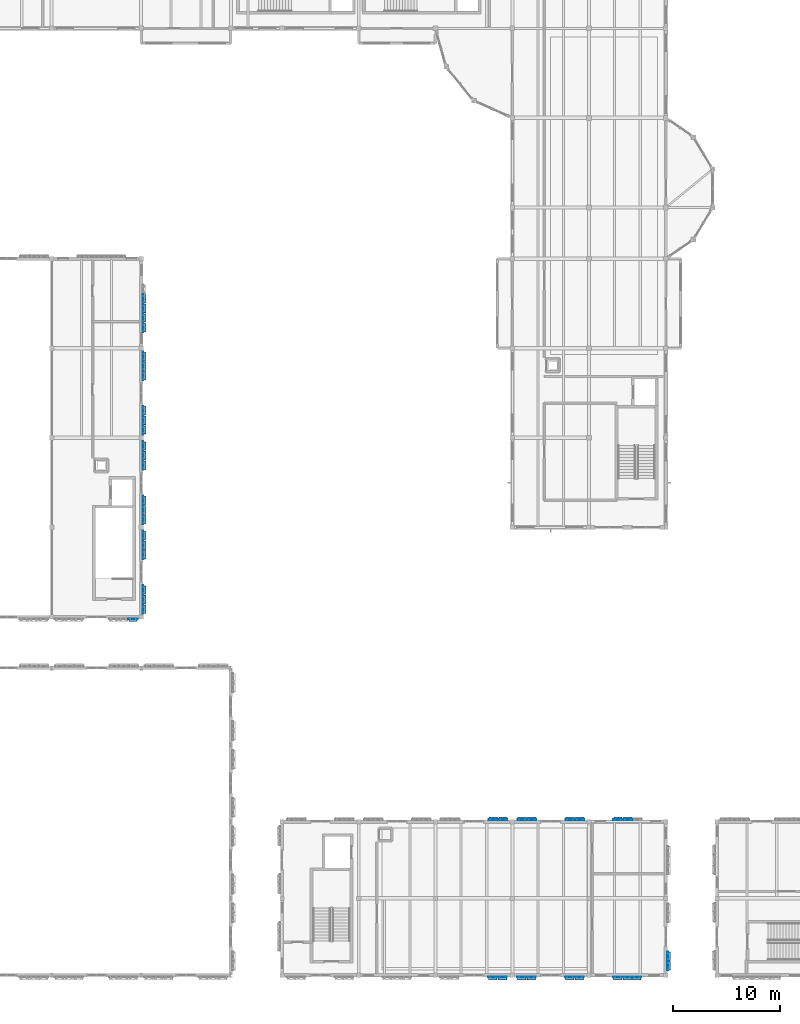
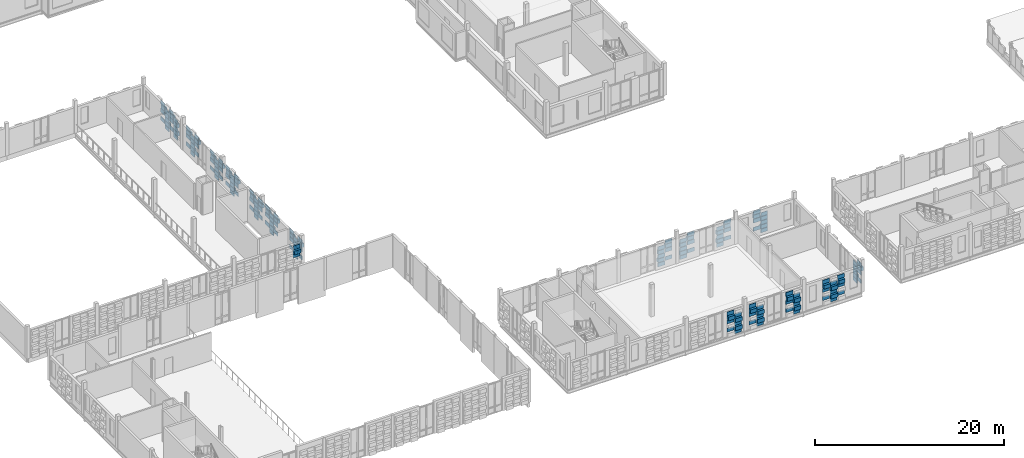
# One storey, part 46 of 81: 184 plates.
"""IFC4 building model written with IfcOpenShell, lengths in metres."""

from ifc_helpers import new_model, si_unit, direction, frame, origin, origin_2d, place, context, subcontext, project, spatial, rectangle, extrude, material, layer, layer_set, type_object, element, save


model = new_model("IFC4")

# Units and contexts
model_context = context("Model", 3, precision=1e-05, world=origin(), true_north=direction((0.0, 1.0)))
body_context = subcontext(model_context, "Body", "Model", "MODEL_VIEW")
ifc_project = project(units=[si_unit("LENGTHUNIT", "METRE"), si_unit("AREAUNIT", "SQUARE_METRE"), si_unit("VOLUMEUNIT", "CUBIC_METRE"), si_unit("PLANEANGLEUNIT", "RADIAN"), si_unit("MASSUNIT", "GRAM", prefix="KILO")], contexts=[model_context])

# Site, building, storey
site_placement = place(None, origin())
site = spatial("IfcSite", under=ifc_project, at=site_placement, CompositionType="ELEMENT")
building_placement = place(site_placement, origin())
building = spatial("IfcBuilding", under=site, at=building_placement, Name="Kahlenmark Community Centre", CompositionType="ELEMENT")
storey_placement = place(building_placement, frame((0.0, 0.0, 9.60009765625)))
storey = spatial("IfcBuildingStorey", under=building, at=storey_placement, Name="L02", CompositionType="ELEMENT", Elevation=9.60009765625)

# Plates
ifc_material_1 = material(Name="Extruded warm terracotta recessed weave tile", Category="masonry")
ifc_layer_1 = layer(ifc_material_1, 0.06005859375)
ifc_layer_set_1 = layer_set([ifc_layer_1], Name="Extruded warm terracotta recessed weave tile")
plate_type_1 = type_object("IfcPlateType", Name="PLT-TC-TC-R10-840X60X485", PredefinedType="SHEET", material=ifc_layer_set_1)
for number, where, z_axis, x_axis, name in (
    (1, (37.780029296875, 44.030029296875, 0.099609375), (0.0, 0.0, 1.0), (0.0, 1.0, 0.0), "Basketweave terracotta cassette 2629"),
    (2, (37.780029296875, 44.030029296875, 1.14990234375), (0.0, 0.0, 1.0), (0.0, 1.0, 0.0), "Basketweave terracotta cassette 2631"),
    (3, (37.780029296875, 44.030029296875, 2.19970703125), (0.0, 0.0, 1.0), (0.0, 1.0, 0.0), "Basketweave terracotta cassette 2633"),
    (4, (37.780029296875, 49.1298828125, 0.099609375), (0.0, 0.0, 1.0), (0.0, 1.0, 0.0), "Basketweave terracotta cassette 2647"),
    (5, (37.780029296875, 49.1298828125, 1.14990234375), (0.0, 0.0, 1.0), (0.0, 1.0, 0.0), "Basketweave terracotta cassette 2649"),
    (6, (37.780029296875, 49.1298828125, 2.19970703125), (0.0, 0.0, 1.0), (0.0, 1.0, 0.0), "Basketweave terracotta cassette 2651"),
    (7, (37.780029296875, 52.429931640625, 0.099609375), (0.0, 0.0, 1.0), (0.0, 1.0, 0.0), "Basketweave terracotta cassette 2665"),
    (8, (37.780029296875, 52.429931640625, 1.14990234375), (0.0, 0.0, 1.0), (0.0, 1.0, 0.0), "Basketweave terracotta cassette 2667"),
    (9, (37.780029296875, 52.429931640625, 2.19970703125), (0.0, 0.0, 1.0), (0.0, 1.0, 0.0), "Basketweave terracotta cassette 2669"),
    (10, (37.780029296875, 57.530029296875, 0.099609375), (0.0, 0.0, 1.0), (0.0, 1.0, 0.0), "Basketweave terracotta cassette 2683"),
    (11, (37.780029296875, 57.530029296875, 1.14990234375), (0.0, 0.0, 1.0), (0.0, 1.0, 0.0), "Basketweave terracotta cassette 2685"),
    (12, (37.780029296875, 57.530029296875, 2.19970703125), (0.0, 0.0, 1.0), (0.0, 1.0, 0.0), "Basketweave terracotta cassette 2687"),
    (13, (37.780029296875, 60.830078125, 0.099609375), (0.0, 0.0, 1.0), (0.0, 1.0, 0.0), "Basketweave terracotta cassette 2701"),
    (14, (37.780029296875, 60.830078125, 1.14990234375), (0.0, 0.0, 1.0), (0.0, 1.0, 0.0), "Basketweave terracotta cassette 2703"),
    (15, (37.780029296875, 60.830078125, 2.19970703125), (0.0, 0.0, 1.0), (0.0, 1.0, 0.0), "Basketweave terracotta cassette 2705"),
    (16, (37.780029296875, 65.929931640625, 0.099609375), (0.0, 0.0, 1.0), (0.0, 1.0, 0.0), "Basketweave terracotta cassette 2719"),
    (17, (37.780029296875, 65.929931640625, 1.14990234375), (0.0, 0.0, 1.0), (0.0, 1.0, 0.0), "Basketweave terracotta cassette 2721"),
    (18, (37.780029296875, 65.929931640625, 2.19970703125), (0.0, 0.0, 1.0), (0.0, 1.0, 0.0), "Basketweave terracotta cassette 2723"),
    (19, (37.780029296875, 69.530029296875, 0.099609375), (0.0, 0.0, 1.0), (0.0, 1.0, 0.0), "Basketweave terracotta cassette 2731"),
    (20, (37.780029296875, 69.530029296875, 1.14990234375), (0.0, 0.0, 1.0), (0.0, 1.0, 0.0), "Basketweave terracotta cassette 2733"),
    (21, (37.780029296875, 69.530029296875, 2.19970703125), (0.0, 0.0, 1.0), (0.0, 1.0, 0.0), "Basketweave terracotta cassette 2735"),
    (22, (37.780029296875, 71.330078125, 0.099609375), (0.0, 0.0, 1.0), (0.0, 1.0, 0.0), "Basketweave terracotta cassette 2743"),
    (23, (37.780029296875, 71.330078125, 1.14990234375), (0.0, 0.0, 1.0), (0.0, 1.0, 0.0), "Basketweave terracotta cassette 2745"),
    (24, (37.780029296875, 71.330078125, 2.19970703125), (0.0, 0.0, 1.0), (0.0, 1.0, 0.0), "Basketweave terracotta cassette 2747"),
):
    element("IfcPlate", number, at=place(storey_placement, frame(where, z_axis=z_axis, x_axis=x_axis)), inside=storey, type_object=plate_type_1, Name=name, PredefinedType="SHEET", context=body_context, shape_type="SweptSolid", body=[
        extrude(rectangle(XDim=0.840087890625, YDim=0.06005859375, at=origin_2d()), origin(), (0.0, 0.0, 1.0), 0.485107421875),
    ])
ifc_layer_2 = layer(ifc_material_1, 0.06005859375)
ifc_layer_set_2 = layer_set([ifc_layer_2], Name="Extruded warm terracotta recessed weave tile")
plate_type_2 = type_object("IfcPlateType", Name="PLT-TC-TC-R10-840X60X488", PredefinedType="SHEET", material=ifc_layer_set_2)
for number, where, z_axis, x_axis, name in (
    (25, (71.47998046875, 8.6201171875, 0.10009765625), (0.0, 0.0, 1.0), (1.0, 0.0, 0.0), "Basketweave terracotta cassette 2821"),
    (26, (71.47998046875, 8.6201171875, 1.15576171875), (0.0, 0.0, 1.0), (1.0, 0.0, 0.0), "Basketweave terracotta cassette 2823"),
    (27, (71.47998046875, 8.6201171875, 2.2119140625), (0.0, 0.0, 1.0), (1.0, 0.0, 0.0), "Basketweave terracotta cassette 2825"),
    (28, (74.179931640625, 8.6201171875, 0.10009765625), (0.0, 0.0, 1.0), (1.0, 0.0, 0.0), "Basketweave terracotta cassette 2833"),
    (29, (74.179931640625, 8.6201171875, 1.15576171875), (0.0, 0.0, 1.0), (1.0, 0.0, 0.0), "Basketweave terracotta cassette 2835"),
    (30, (74.179931640625, 8.6201171875, 2.2119140625), (0.0, 0.0, 1.0), (1.0, 0.0, 0.0), "Basketweave terracotta cassette 2837"),
    (31, (78.679931640625, 8.6201171875, 0.10009765625), (0.0, 0.0, 1.0), (1.0, 0.0, 0.0), "Basketweave terracotta cassette 2845"),
    (32, (78.679931640625, 8.6201171875, 1.15576171875), (0.0, 0.0, 1.0), (1.0, 0.0, 0.0), "Basketweave terracotta cassette 2847"),
    (33, (78.679931640625, 8.6201171875, 2.2119140625), (0.0, 0.0, 1.0), (1.0, 0.0, 0.0), "Basketweave terracotta cassette 2849"),
    (34, (83.179931640625, 8.6201171875, 0.10009765625), (0.0, 0.0, 1.0), (1.0, 0.0, 0.0), "Basketweave terracotta cassette 2857"),
    (35, (83.179931640625, 8.6201171875, 1.15576171875), (0.0, 0.0, 1.0), (1.0, 0.0, 0.0), "Basketweave terracotta cassette 2859"),
    (36, (83.179931640625, 8.6201171875, 2.2119140625), (0.0, 0.0, 1.0), (1.0, 0.0, 0.0), "Basketweave terracotta cassette 2861"),
    (37, (70.6201171875, 23.3798828125, 0.10009765625), (0.0, 0.0, 1.0), (-1.0, 0.0, 0.0), "Basketweave terracotta cassette 2923"),
    (38, (70.6201171875, 23.3798828125, 1.15576171875), (0.0, 0.0, 1.0), (-1.0, 0.0, 0.0), "Basketweave terracotta cassette 2925"),
    (39, (70.6201171875, 23.3798828125, 2.2119140625), (0.0, 0.0, 1.0), (-1.0, 0.0, 0.0), "Basketweave terracotta cassette 2927"),
    (40, (77.820068359375, 23.3798828125, 0.10009765625), (0.0, 0.0, 1.0), (-1.0, 0.0, 0.0), "Basketweave terracotta cassette 2947"),
    (41, (77.820068359375, 23.3798828125, 1.15576171875), (0.0, 0.0, 1.0), (-1.0, 0.0, 0.0), "Basketweave terracotta cassette 2949"),
    (42, (77.820068359375, 23.3798828125, 2.2119140625), (0.0, 0.0, 1.0), (-1.0, 0.0, 0.0), "Basketweave terracotta cassette 2951"),
    (43, (73.320068359375, 23.3798828125, 0.10009765625), (0.0, 0.0, 1.0), (-1.0, 0.0, 0.0), "Basketweave terracotta cassette 2959"),
    (44, (73.320068359375, 23.3798828125, 1.15576171875), (0.0, 0.0, 1.0), (-1.0, 0.0, 0.0), "Basketweave terracotta cassette 2961"),
    (45, (73.320068359375, 23.3798828125, 2.2119140625), (0.0, 0.0, 1.0), (-1.0, 0.0, 0.0), "Basketweave terracotta cassette 2963"),
    (46, (83.219970703125, 23.3798828125, 0.10009765625), (0.0, 0.0, 1.0), (-1.0, 0.0, 0.0), "Basketweave terracotta cassette 2971"),
    (47, (83.219970703125, 23.3798828125, 1.15576171875), (0.0, 0.0, 1.0), (-1.0, 0.0, 0.0), "Basketweave terracotta cassette 2973"),
    (48, (83.219970703125, 23.3798828125, 2.2119140625), (0.0, 0.0, 1.0), (-1.0, 0.0, 0.0), "Basketweave terracotta cassette 2975"),
    (49, (86.97998046875, 10.580078125, 0.10009765625), (0.0, 0.0, 1.0), (0.0, 1.0, 0.0), "Basketweave terracotta cassette 3031"),
    (50, (86.97998046875, 10.580078125, 1.15576171875), (0.0, 0.0, 1.0), (0.0, 1.0, 0.0), "Basketweave terracotta cassette 3033"),
    (51, (86.97998046875, 10.580078125, 2.2119140625), (0.0, 0.0, 1.0), (0.0, 1.0, 0.0), "Basketweave terracotta cassette 3035"),
):
    element("IfcPlate", number, at=place(storey_placement, frame(where, z_axis=z_axis, x_axis=x_axis)), inside=storey, type_object=plate_type_2, Name=name, PredefinedType="SHEET", context=body_context, shape_type="SweptSolid", body=[
        extrude(rectangle(XDim=0.840087890625, YDim=0.06005859375, at=origin_2d()), origin(), (0.0, 0.0, 1.0), 0.488037109375),
    ])
ifc_layer_3 = layer(ifc_material_1, 0.06005859375)
ifc_layer_set_3 = layer_set([ifc_layer_3], Name="Extruded warm terracotta recessed weave tile")
plate_type_3 = type_object("IfcPlateType", Name="PLT-TC-TC-R10-860X60X485", PredefinedType="SHEET", material=ifc_layer_set_3)
for number, where, z_axis, x_axis, name in (
    (52, (36.830078125, 42.219970703125, 1.6748046875), (0.0, 0.0, 1.0), (1.0, 0.0, 0.0), "Basketweave terracotta cassette 2470"),
    (53, (36.830078125, 42.219970703125, 2.724609375), (0.0, 0.0, 1.0), (1.0, 0.0, 0.0), "Basketweave terracotta cassette 2472"),
    (54, (37.780029296875, 43.1298828125, 0.625), (0.0, 0.0, 1.0), (0.0, 1.0, 0.0), "Basketweave terracotta cassette 2624"),
    (55, (37.780029296875, 43.1298828125, 1.6748046875), (0.0, 0.0, 1.0), (0.0, 1.0, 0.0), "Basketweave terracotta cassette 2626"),
    (56, (37.780029296875, 43.1298828125, 2.724609375), (0.0, 0.0, 1.0), (0.0, 1.0, 0.0), "Basketweave terracotta cassette 2628"),
    (57, (37.780029296875, 44.929931640625, 0.625), (0.0, 0.0, 1.0), (0.0, 1.0, 0.0), "Basketweave terracotta cassette 2636"),
    (58, (37.780029296875, 44.929931640625, 1.6748046875), (0.0, 0.0, 1.0), (0.0, 1.0, 0.0), "Basketweave terracotta cassette 2638"),
    (59, (37.780029296875, 44.929931640625, 2.724609375), (0.0, 0.0, 1.0), (0.0, 1.0, 0.0), "Basketweave terracotta cassette 2640"),
    (60, (37.780029296875, 48.22998046875, 0.625), (0.0, 0.0, 1.0), (0.0, 1.0, 0.0), "Basketweave terracotta cassette 2642"),
    (61, (37.780029296875, 48.22998046875, 1.6748046875), (0.0, 0.0, 1.0), (0.0, 1.0, 0.0), "Basketweave terracotta cassette 2644"),
    (62, (37.780029296875, 48.22998046875, 2.724609375), (0.0, 0.0, 1.0), (0.0, 1.0, 0.0), "Basketweave terracotta cassette 2646"),
    (63, (37.780029296875, 50.030029296875, 0.625), (0.0, 0.0, 1.0), (0.0, 1.0, 0.0), "Basketweave terracotta cassette 2654"),
    (64, (37.780029296875, 50.030029296875, 1.6748046875), (0.0, 0.0, 1.0), (0.0, 1.0, 0.0), "Basketweave terracotta cassette 2656"),
    (65, (37.780029296875, 50.030029296875, 2.724609375), (0.0, 0.0, 1.0), (0.0, 1.0, 0.0), "Basketweave terracotta cassette 2658"),
    (66, (37.780029296875, 51.530029296875, 0.625), (0.0, 0.0, 1.0), (0.0, 1.0, 0.0), "Basketweave terracotta cassette 2660"),
    (67, (37.780029296875, 51.530029296875, 1.6748046875), (0.0, 0.0, 1.0), (0.0, 1.0, 0.0), "Basketweave terracotta cassette 2662"),
    (68, (37.780029296875, 51.530029296875, 2.724609375), (0.0, 0.0, 1.0), (0.0, 1.0, 0.0), "Basketweave terracotta cassette 2664"),
    (69, (37.780029296875, 53.330078125, 0.625), (0.0, 0.0, 1.0), (0.0, 1.0, 0.0), "Basketweave terracotta cassette 2672"),
    (70, (37.780029296875, 53.330078125, 1.6748046875), (0.0, 0.0, 1.0), (0.0, 1.0, 0.0), "Basketweave terracotta cassette 2674"),
    (71, (37.780029296875, 53.330078125, 2.724609375), (0.0, 0.0, 1.0), (0.0, 1.0, 0.0), "Basketweave terracotta cassette 2676"),
    (72, (37.780029296875, 56.6298828125, 0.625), (0.0, 0.0, 1.0), (0.0, 1.0, 0.0), "Basketweave terracotta cassette 2678"),
    (73, (37.780029296875, 56.6298828125, 1.6748046875), (0.0, 0.0, 1.0), (0.0, 1.0, 0.0), "Basketweave terracotta cassette 2680"),
    (74, (37.780029296875, 56.6298828125, 2.724609375), (0.0, 0.0, 1.0), (0.0, 1.0, 0.0), "Basketweave terracotta cassette 2682"),
    (75, (37.780029296875, 58.429931640625, 0.625), (0.0, 0.0, 1.0), (0.0, 1.0, 0.0), "Basketweave terracotta cassette 2690"),
    (76, (37.780029296875, 58.429931640625, 1.6748046875), (0.0, 0.0, 1.0), (0.0, 1.0, 0.0), "Basketweave terracotta cassette 2692"),
    (77, (37.780029296875, 58.429931640625, 2.724609375), (0.0, 0.0, 1.0), (0.0, 1.0, 0.0), "Basketweave terracotta cassette 2694"),
    (78, (37.780029296875, 59.929931640625, 0.625), (0.0, 0.0, 1.0), (0.0, 1.0, 0.0), "Basketweave terracotta cassette 2696"),
    (79, (37.780029296875, 59.929931640625, 1.6748046875), (0.0, 0.0, 1.0), (0.0, 1.0, 0.0), "Basketweave terracotta cassette 2698"),
    (80, (37.780029296875, 59.929931640625, 2.724609375), (0.0, 0.0, 1.0), (0.0, 1.0, 0.0), "Basketweave terracotta cassette 2700"),
    (81, (37.780029296875, 61.72998046875, 0.625), (0.0, 0.0, 1.0), (0.0, 1.0, 0.0), "Basketweave terracotta cassette 2708"),
    (82, (37.780029296875, 61.72998046875, 1.6748046875), (0.0, 0.0, 1.0), (0.0, 1.0, 0.0), "Basketweave terracotta cassette 2710"),
    (83, (37.780029296875, 61.72998046875, 2.724609375), (0.0, 0.0, 1.0), (0.0, 1.0, 0.0), "Basketweave terracotta cassette 2712"),
    (84, (37.780029296875, 65.030029296875, 0.625), (0.0, 0.0, 1.0), (0.0, 1.0, 0.0), "Basketweave terracotta cassette 2714"),
    (85, (37.780029296875, 65.030029296875, 1.6748046875), (0.0, 0.0, 1.0), (0.0, 1.0, 0.0), "Basketweave terracotta cassette 2716"),
    (86, (37.780029296875, 65.030029296875, 2.724609375), (0.0, 0.0, 1.0), (0.0, 1.0, 0.0), "Basketweave terracotta cassette 2718"),
    (87, (37.780029296875, 66.830078125, 0.625), (0.0, 0.0, 1.0), (0.0, 1.0, 0.0), "Basketweave terracotta cassette 2726"),
    (88, (37.780029296875, 66.830078125, 1.6748046875), (0.0, 0.0, 1.0), (0.0, 1.0, 0.0), "Basketweave terracotta cassette 2728"),
    (89, (37.780029296875, 66.830078125, 2.724609375), (0.0, 0.0, 1.0), (0.0, 1.0, 0.0), "Basketweave terracotta cassette 2730"),
    (90, (37.780029296875, 70.429931640625, 0.625), (0.0, 0.0, 1.0), (0.0, 1.0, 0.0), "Basketweave terracotta cassette 2738"),
    (91, (37.780029296875, 70.429931640625, 1.6748046875), (0.0, 0.0, 1.0), (0.0, 1.0, 0.0), "Basketweave terracotta cassette 2740"),
    (92, (37.780029296875, 70.429931640625, 2.724609375), (0.0, 0.0, 1.0), (0.0, 1.0, 0.0), "Basketweave terracotta cassette 2742"),
    (93, (37.780029296875, 72.22998046875, 0.625), (0.0, 0.0, 1.0), (0.0, 1.0, 0.0), "Basketweave terracotta cassette 2750"),
    (94, (37.780029296875, 72.22998046875, 1.6748046875), (0.0, 0.0, 1.0), (0.0, 1.0, 0.0), "Basketweave terracotta cassette 2752"),
    (95, (37.780029296875, 72.22998046875, 2.724609375), (0.0, 0.0, 1.0), (0.0, 1.0, 0.0), "Basketweave terracotta cassette 2754"),
):
    element("IfcPlate", number, at=place(storey_placement, frame(where, z_axis=z_axis, x_axis=x_axis)), inside=storey, type_object=plate_type_3, Name=name, PredefinedType="SHEET", context=body_context, shape_type="SweptSolid", body=[
        extrude(rectangle(XDim=0.860107421875, YDim=0.06005859375, at=origin_2d()), origin(), (0.0, 0.0, 1.0), 0.485107421875),
    ])
ifc_layer_4 = layer(ifc_material_1, 0.06005859375)
ifc_layer_set_4 = layer_set([ifc_layer_4], Name="Extruded warm terracotta recessed weave tile")
plate_type_4 = type_object("IfcPlateType", Name="PLT-TC-TC-R10-860X60X488", PredefinedType="SHEET", material=ifc_layer_set_4)
for number, where, z_axis, x_axis, name in (
    (96, (70.580078125, 8.6201171875, 0.6279296875), (0.0, 0.0, 1.0), (1.0, 0.0, 0.0), "Basketweave terracotta cassette 2816"),
    (97, (70.580078125, 8.6201171875, 1.68408203125), (0.0, 0.0, 1.0), (1.0, 0.0, 0.0), "Basketweave terracotta cassette 2818"),
    (98, (70.580078125, 8.6201171875, 2.73974609375), (0.0, 0.0, 1.0), (1.0, 0.0, 0.0), "Basketweave terracotta cassette 2820"),
    (99, (73.280029296875, 8.6201171875, 0.6279296875), (0.0, 0.0, 1.0), (1.0, 0.0, 0.0), "Basketweave terracotta cassette 2828"),
    (100, (73.280029296875, 8.6201171875, 1.68408203125), (0.0, 0.0, 1.0), (1.0, 0.0, 0.0), "Basketweave terracotta cassette 2830"),
    (101, (73.280029296875, 8.6201171875, 2.73974609375), (0.0, 0.0, 1.0), (1.0, 0.0, 0.0), "Basketweave terracotta cassette 2832"),
    (102, (77.780029296875, 8.6201171875, 0.6279296875), (0.0, 0.0, 1.0), (1.0, 0.0, 0.0), "Basketweave terracotta cassette 2840"),
    (103, (77.780029296875, 8.6201171875, 1.68408203125), (0.0, 0.0, 1.0), (1.0, 0.0, 0.0), "Basketweave terracotta cassette 2842"),
    (104, (77.780029296875, 8.6201171875, 2.73974609375), (0.0, 0.0, 1.0), (1.0, 0.0, 0.0), "Basketweave terracotta cassette 2844"),
    (105, (82.280029296875, 8.6201171875, 0.6279296875), (0.0, 0.0, 1.0), (1.0, 0.0, 0.0), "Basketweave terracotta cassette 2852"),
    (106, (82.280029296875, 8.6201171875, 1.68408203125), (0.0, 0.0, 1.0), (1.0, 0.0, 0.0), "Basketweave terracotta cassette 2854"),
    (107, (82.280029296875, 8.6201171875, 2.73974609375), (0.0, 0.0, 1.0), (1.0, 0.0, 0.0), "Basketweave terracotta cassette 2856"),
    (108, (84.080078125, 8.6201171875, 0.6279296875), (0.0, 0.0, 1.0), (1.0, 0.0, 0.0), "Basketweave terracotta cassette 2864"),
    (109, (84.080078125, 8.6201171875, 1.68408203125), (0.0, 0.0, 1.0), (1.0, 0.0, 0.0), "Basketweave terracotta cassette 2866"),
    (110, (84.080078125, 8.6201171875, 2.73974609375), (0.0, 0.0, 1.0), (1.0, 0.0, 0.0), "Basketweave terracotta cassette 2868"),
    (111, (71.52001953125, 23.3798828125, 0.6279296875), (0.0, 0.0, 1.0), (-1.0, 0.0, 0.0), "Basketweave terracotta cassette 2918"),
    (112, (71.52001953125, 23.3798828125, 1.68408203125), (0.0, 0.0, 1.0), (-1.0, 0.0, 0.0), "Basketweave terracotta cassette 2920"),
    (113, (71.52001953125, 23.3798828125, 2.73974609375), (0.0, 0.0, 1.0), (-1.0, 0.0, 0.0), "Basketweave terracotta cassette 2922"),
    (114, (78.719970703125, 23.3798828125, 0.6279296875), (0.0, 0.0, 1.0), (-1.0, 0.0, 0.0), "Basketweave terracotta cassette 2942"),
    (115, (78.719970703125, 23.3798828125, 1.68408203125), (0.0, 0.0, 1.0), (-1.0, 0.0, 0.0), "Basketweave terracotta cassette 2944"),
    (116, (78.719970703125, 23.3798828125, 2.73974609375), (0.0, 0.0, 1.0), (-1.0, 0.0, 0.0), "Basketweave terracotta cassette 2946"),
    (117, (74.219970703125, 23.3798828125, 0.6279296875), (0.0, 0.0, 1.0), (-1.0, 0.0, 0.0), "Basketweave terracotta cassette 2954"),
    (118, (74.219970703125, 23.3798828125, 1.68408203125), (0.0, 0.0, 1.0), (-1.0, 0.0, 0.0), "Basketweave terracotta cassette 2956"),
    (119, (74.219970703125, 23.3798828125, 2.73974609375), (0.0, 0.0, 1.0), (-1.0, 0.0, 0.0), "Basketweave terracotta cassette 2958"),
    (120, (82.320068359375, 23.3798828125, 0.6279296875), (0.0, 0.0, 1.0), (-1.0, 0.0, 0.0), "Basketweave terracotta cassette 2978"),
    (121, (82.320068359375, 23.3798828125, 1.68408203125), (0.0, 0.0, 1.0), (-1.0, 0.0, 0.0), "Basketweave terracotta cassette 2980"),
    (122, (82.320068359375, 23.3798828125, 2.73974609375), (0.0, 0.0, 1.0), (-1.0, 0.0, 0.0), "Basketweave terracotta cassette 2982"),
    (123, (86.97998046875, 9.679931640625, 0.6279296875), (0.0, 0.0, 1.0), (0.0, 1.0, 0.0), "Basketweave terracotta cassette 3026"),
    (124, (86.97998046875, 9.679931640625, 1.68408203125), (0.0, 0.0, 1.0), (0.0, 1.0, 0.0), "Basketweave terracotta cassette 3028"),
    (125, (86.97998046875, 9.679931640625, 2.73974609375), (0.0, 0.0, 1.0), (0.0, 1.0, 0.0), "Basketweave terracotta cassette 3030"),
):
    element("IfcPlate", number, at=place(storey_placement, frame(where, z_axis=z_axis, x_axis=x_axis)), inside=storey, type_object=plate_type_4, Name=name, PredefinedType="SHEET", context=body_context, shape_type="SweptSolid", body=[
        extrude(rectangle(XDim=0.860107421875, YDim=0.06005859375, at=origin_2d()), origin(), (0.0, 0.0, 1.0), 0.488037109375),
    ])
ifc_material_2 = material(Name="Extruded glazed terracotta weave cassette", Category="masonry")
ifc_layer_5 = layer(ifc_material_2, 0.300048828125)
ifc_layer_set_5 = layer_set([ifc_layer_5], Name="Extruded glazed terracotta weave cassette")
plate_type_5 = type_object("IfcPlateType", Name="PLT-TC-TC-R34-780X300X485", PredefinedType="SHEET", material=ifc_layer_set_5)
for number, where, z_axis, x_axis, name in (
    (126, (36.830078125, 42.10009765625, 2.19970703125), (0.0, 0.0, 1.0), (1.0, 0.0, 0.0), "Basketweave terracotta cassette 2471"),
    (127, (37.89990234375, 43.1298828125, 2.19970703125), (0.0, 0.0, 1.0), (0.0, 1.0, 0.0), "Basketweave terracotta cassette 2627"),
    (128, (37.89990234375, 44.929931640625, 2.19970703125), (0.0, 0.0, 1.0), (0.0, 1.0, 0.0), "Basketweave terracotta cassette 2639"),
    (129, (37.89990234375, 48.22998046875, 2.19970703125), (0.0, 0.0, 1.0), (0.0, 1.0, 0.0), "Basketweave terracotta cassette 2645"),
    (130, (37.89990234375, 50.030029296875, 2.19970703125), (0.0, 0.0, 1.0), (0.0, 1.0, 0.0), "Basketweave terracotta cassette 2657"),
    (131, (37.89990234375, 51.530029296875, 2.19970703125), (0.0, 0.0, 1.0), (0.0, 1.0, 0.0), "Basketweave terracotta cassette 2663"),
    (132, (37.89990234375, 53.330078125, 2.19970703125), (0.0, 0.0, 1.0), (0.0, 1.0, 0.0), "Basketweave terracotta cassette 2675"),
    (133, (37.89990234375, 56.6298828125, 2.19970703125), (0.0, 0.0, 1.0), (0.0, 1.0, 0.0), "Basketweave terracotta cassette 2681"),
    (134, (37.89990234375, 58.429931640625, 2.19970703125), (0.0, 0.0, 1.0), (0.0, 1.0, 0.0), "Basketweave terracotta cassette 2693"),
    (135, (37.89990234375, 59.929931640625, 2.19970703125), (0.0, 0.0, 1.0), (0.0, 1.0, 0.0), "Basketweave terracotta cassette 2699"),
    (136, (37.89990234375, 61.72998046875, 2.19970703125), (0.0, 0.0, 1.0), (0.0, 1.0, 0.0), "Basketweave terracotta cassette 2711"),
    (137, (37.89990234375, 65.030029296875, 2.19970703125), (0.0, 0.0, 1.0), (0.0, 1.0, 0.0), "Basketweave terracotta cassette 2717"),
    (138, (37.89990234375, 66.830078125, 2.19970703125), (0.0, 0.0, 1.0), (0.0, 1.0, 0.0), "Basketweave terracotta cassette 2729"),
    (139, (37.89990234375, 70.429931640625, 2.19970703125), (0.0, 0.0, 1.0), (0.0, 1.0, 0.0), "Basketweave terracotta cassette 2741"),
    (140, (37.89990234375, 72.22998046875, 2.19970703125), (0.0, 0.0, 1.0), (0.0, 1.0, 0.0), "Basketweave terracotta cassette 2753"),
):
    element("IfcPlate", number, at=place(storey_placement, frame(where, z_axis=z_axis, x_axis=x_axis)), inside=storey, type_object=plate_type_5, Name=name, PredefinedType="SHEET", context=body_context, shape_type="SweptSolid", body=[
        extrude(rectangle(XDim=0.780029296875, YDim=0.300048828125, at=origin_2d()), origin(), (0.0, 0.0, 1.0), 0.485107421875),
    ])
ifc_layer_6 = layer(ifc_material_2, 0.300048828125)
ifc_layer_set_6 = layer_set([ifc_layer_6], Name="Extruded glazed terracotta weave cassette")
plate_type_6 = type_object("IfcPlateType", Name="PLT-TC-TC-R34-780X300X488", PredefinedType="SHEET", material=ifc_layer_set_6)
for number, where, z_axis, x_axis, name in (
    (141, (70.580078125, 8.5, 2.2119140625), (0.0, 0.0, 1.0), (1.0, 0.0, 0.0), "Basketweave terracotta cassette 2819"),
    (142, (73.280029296875, 8.5, 2.2119140625), (0.0, 0.0, 1.0), (1.0, 0.0, 0.0), "Basketweave terracotta cassette 2831"),
    (143, (77.780029296875, 8.5, 2.2119140625), (0.0, 0.0, 1.0), (1.0, 0.0, 0.0), "Basketweave terracotta cassette 2843"),
    (144, (82.280029296875, 8.5, 2.2119140625), (0.0, 0.0, 1.0), (1.0, 0.0, 0.0), "Basketweave terracotta cassette 2855"),
    (145, (84.080078125, 8.5, 2.2119140625), (0.0, 0.0, 1.0), (1.0, 0.0, 0.0), "Basketweave terracotta cassette 2867"),
    (146, (71.52001953125, 23.5, 2.2119140625), (0.0, 0.0, 1.0), (-1.0, 0.0, 0.0), "Basketweave terracotta cassette 2921"),
    (147, (78.719970703125, 23.5, 2.2119140625), (0.0, 0.0, 1.0), (-1.0, 0.0, 0.0), "Basketweave terracotta cassette 2945"),
    (148, (74.219970703125, 23.5, 2.2119140625), (0.0, 0.0, 1.0), (-1.0, 0.0, 0.0), "Basketweave terracotta cassette 2957"),
    (149, (82.320068359375, 23.5, 2.2119140625), (0.0, 0.0, 1.0), (-1.0, 0.0, 0.0), "Basketweave terracotta cassette 2981"),
    (150, (87.10009765625, 9.679931640625, 2.2119140625), (0.0, 0.0, 1.0), (0.0, 1.0, 0.0), "Basketweave terracotta cassette 3029"),
):
    element("IfcPlate", number, at=place(storey_placement, frame(where, z_axis=z_axis, x_axis=x_axis)), inside=storey, type_object=plate_type_6, Name=name, PredefinedType="SHEET", context=body_context, shape_type="SweptSolid", body=[
        extrude(rectangle(XDim=0.780029296875, YDim=0.300048828125, at=origin_2d()), origin(), (0.0, 0.0, 1.0), 0.488037109375),
    ])
ifc_layer_7 = layer(ifc_material_2, 0.280029296875)
ifc_layer_set_7 = layer_set([ifc_layer_7], Name="Extruded glazed terracotta weave cassette")
plate_type_7 = type_object("IfcPlateType", Name="PLT-TC-TC-W30-800X280X485", PredefinedType="SHEET", material=ifc_layer_set_7)
for number, where, z_axis, x_axis, name in (
    (151, (37.889892578125, 44.030029296875, 1.6748046875), (0.0, 0.0, 1.0), (0.0, 1.0, 0.0), "Basketweave terracotta cassette 2632"),
    (152, (37.889892578125, 49.1298828125, 1.6748046875), (0.0, 0.0, 1.0), (0.0, 1.0, 0.0), "Basketweave terracotta cassette 2650"),
    (153, (37.889892578125, 52.429931640625, 1.6748046875), (0.0, 0.0, 1.0), (0.0, 1.0, 0.0), "Basketweave terracotta cassette 2668"),
    (154, (37.889892578125, 57.530029296875, 1.6748046875), (0.0, 0.0, 1.0), (0.0, 1.0, 0.0), "Basketweave terracotta cassette 2686"),
    (155, (37.889892578125, 60.830078125, 1.6748046875), (0.0, 0.0, 1.0), (0.0, 1.0, 0.0), "Basketweave terracotta cassette 2704"),
    (156, (37.889892578125, 65.929931640625, 1.6748046875), (0.0, 0.0, 1.0), (0.0, 1.0, 0.0), "Basketweave terracotta cassette 2722"),
    (157, (37.889892578125, 69.530029296875, 1.6748046875), (0.0, 0.0, 1.0), (0.0, 1.0, 0.0), "Basketweave terracotta cassette 2734"),
    (158, (37.889892578125, 71.330078125, 1.6748046875), (0.0, 0.0, 1.0), (0.0, 1.0, 0.0), "Basketweave terracotta cassette 2746"),
):
    element("IfcPlate", number, at=place(storey_placement, frame(where, z_axis=z_axis, x_axis=x_axis)), inside=storey, type_object=plate_type_7, Name=name, PredefinedType="SHEET", context=body_context, shape_type="SweptSolid", body=[
        extrude(rectangle(XDim=0.800048828125, YDim=0.280029296875, at=origin_2d()), origin(), (0.0, 0.0, 1.0), 0.485107421875),
    ])
ifc_layer_8 = layer(ifc_material_2, 0.280029296875)
ifc_layer_set_8 = layer_set([ifc_layer_8], Name="Extruded glazed terracotta weave cassette")
plate_type_8 = type_object("IfcPlateType", Name="PLT-TC-TC-W30-800X280X488", PredefinedType="SHEET", material=ifc_layer_set_8)
for number, where, z_axis, x_axis, name in (
    (159, (71.47998046875, 8.510009765625, 1.68408203125), (0.0, 0.0, 1.0), (1.0, 0.0, 0.0), "Basketweave terracotta cassette 2824"),
    (160, (74.179931640625, 8.510009765625, 1.68408203125), (0.0, 0.0, 1.0), (1.0, 0.0, 0.0), "Basketweave terracotta cassette 2836"),
    (161, (78.679931640625, 8.510009765625, 1.68408203125), (0.0, 0.0, 1.0), (1.0, 0.0, 0.0), "Basketweave terracotta cassette 2848"),
    (162, (83.179931640625, 8.510009765625, 1.68408203125), (0.0, 0.0, 1.0), (1.0, 0.0, 0.0), "Basketweave terracotta cassette 2860"),
    (163, (70.6201171875, 23.489990234375, 1.68408203125), (0.0, 0.0, 1.0), (-1.0, 0.0, 0.0), "Basketweave terracotta cassette 2926"),
    (164, (77.820068359375, 23.489990234375, 1.68408203125), (0.0, 0.0, 1.0), (-1.0, 0.0, 0.0), "Basketweave terracotta cassette 2950"),
    (165, (73.320068359375, 23.489990234375, 1.68408203125), (0.0, 0.0, 1.0), (-1.0, 0.0, 0.0), "Basketweave terracotta cassette 2962"),
    (166, (83.219970703125, 23.489990234375, 1.68408203125), (0.0, 0.0, 1.0), (-1.0, 0.0, 0.0), "Basketweave terracotta cassette 2974"),
    (167, (87.090087890625, 10.580078125, 1.68408203125), (0.0, 0.0, 1.0), (0.0, 1.0, 0.0), "Basketweave terracotta cassette 3034"),
):
    element("IfcPlate", number, at=place(storey_placement, frame(where, z_axis=z_axis, x_axis=x_axis)), inside=storey, type_object=plate_type_8, Name=name, PredefinedType="SHEET", context=body_context, shape_type="SweptSolid", body=[
        extrude(rectangle(XDim=0.800048828125, YDim=0.280029296875, at=origin_2d()), origin(), (0.0, 0.0, 1.0), 0.488037109375),
    ])
ifc_layer_9 = layer(ifc_material_2, 0.280029296875)
ifc_layer_set_9 = layer_set([ifc_layer_9], Name="Extruded glazed terracotta weave cassette")
plate_type_9 = type_object("IfcPlateType", Name="PLT-TC-TC-W30-820X280X485", PredefinedType="SHEET", material=ifc_layer_set_9)
for number, where, z_axis, x_axis, name in (
    (168, (37.889892578125, 44.030029296875, 0.625), (0.0, 0.0, 1.0), (0.0, 1.0, 0.0), "Basketweave terracotta cassette 2630"),
    (169, (37.889892578125, 49.1298828125, 0.625), (0.0, 0.0, 1.0), (0.0, 1.0, 0.0), "Basketweave terracotta cassette 2648"),
    (170, (37.889892578125, 52.429931640625, 0.625), (0.0, 0.0, 1.0), (0.0, 1.0, 0.0), "Basketweave terracotta cassette 2666"),
    (171, (37.889892578125, 57.530029296875, 0.625), (0.0, 0.0, 1.0), (0.0, 1.0, 0.0), "Basketweave terracotta cassette 2684"),
    (172, (37.889892578125, 60.830078125, 0.625), (0.0, 0.0, 1.0), (0.0, 1.0, 0.0), "Basketweave terracotta cassette 2702"),
    (173, (37.889892578125, 65.929931640625, 0.625), (0.0, 0.0, 1.0), (0.0, 1.0, 0.0), "Basketweave terracotta cassette 2720"),
    (174, (37.889892578125, 69.530029296875, 0.625), (0.0, 0.0, 1.0), (0.0, 1.0, 0.0), "Basketweave terracotta cassette 2732"),
    (175, (37.889892578125, 71.330078125, 0.625), (0.0, 0.0, 1.0), (0.0, 1.0, 0.0), "Basketweave terracotta cassette 2744"),
):
    element("IfcPlate", number, at=place(storey_placement, frame(where, z_axis=z_axis, x_axis=x_axis)), inside=storey, type_object=plate_type_9, Name=name, PredefinedType="SHEET", context=body_context, shape_type="SweptSolid", body=[
        extrude(rectangle(XDim=0.820068359375, YDim=0.280029296875, at=origin_2d()), origin(), (0.0, 0.0, 1.0), 0.485107421875),
    ])
ifc_layer_10 = layer(ifc_material_2, 0.280029296875)
ifc_layer_set_10 = layer_set([ifc_layer_10], Name="Extruded glazed terracotta weave cassette")
plate_type_10 = type_object("IfcPlateType", Name="PLT-TC-TC-W30-820X280X488", PredefinedType="SHEET", material=ifc_layer_set_10)
for number, where, z_axis, x_axis, name in (
    (176, (71.47998046875, 8.510009765625, 0.6279296875), (0.0, 0.0, 1.0), (1.0, 0.0, 0.0), "Basketweave terracotta cassette 2822"),
    (177, (74.179931640625, 8.510009765625, 0.6279296875), (0.0, 0.0, 1.0), (1.0, 0.0, 0.0), "Basketweave terracotta cassette 2834"),
    (178, (78.679931640625, 8.510009765625, 0.6279296875), (0.0, 0.0, 1.0), (1.0, 0.0, 0.0), "Basketweave terracotta cassette 2846"),
    (179, (83.179931640625, 8.510009765625, 0.6279296875), (0.0, 0.0, 1.0), (1.0, 0.0, 0.0), "Basketweave terracotta cassette 2858"),
    (180, (70.6201171875, 23.489990234375, 0.6279296875), (0.0, 0.0, 1.0), (-1.0, 0.0, 0.0), "Basketweave terracotta cassette 2924"),
    (181, (77.820068359375, 23.489990234375, 0.6279296875), (0.0, 0.0, 1.0), (-1.0, 0.0, 0.0), "Basketweave terracotta cassette 2948"),
    (182, (73.320068359375, 23.489990234375, 0.6279296875), (0.0, 0.0, 1.0), (-1.0, 0.0, 0.0), "Basketweave terracotta cassette 2960"),
    (183, (83.219970703125, 23.489990234375, 0.6279296875), (0.0, 0.0, 1.0), (-1.0, 0.0, 0.0), "Basketweave terracotta cassette 2972"),
    (184, (87.090087890625, 10.580078125, 0.6279296875), (0.0, 0.0, 1.0), (0.0, 1.0, 0.0), "Basketweave terracotta cassette 3032"),
):
    element("IfcPlate", number, at=place(storey_placement, frame(where, z_axis=z_axis, x_axis=x_axis)), inside=storey, type_object=plate_type_10, Name=name, PredefinedType="SHEET", context=body_context, shape_type="SweptSolid", body=[
        extrude(rectangle(XDim=0.820068359375, YDim=0.280029296875, at=origin_2d()), origin(), (0.0, 0.0, 1.0), 0.488037109375),
    ])

save(model, "model.ifc")
